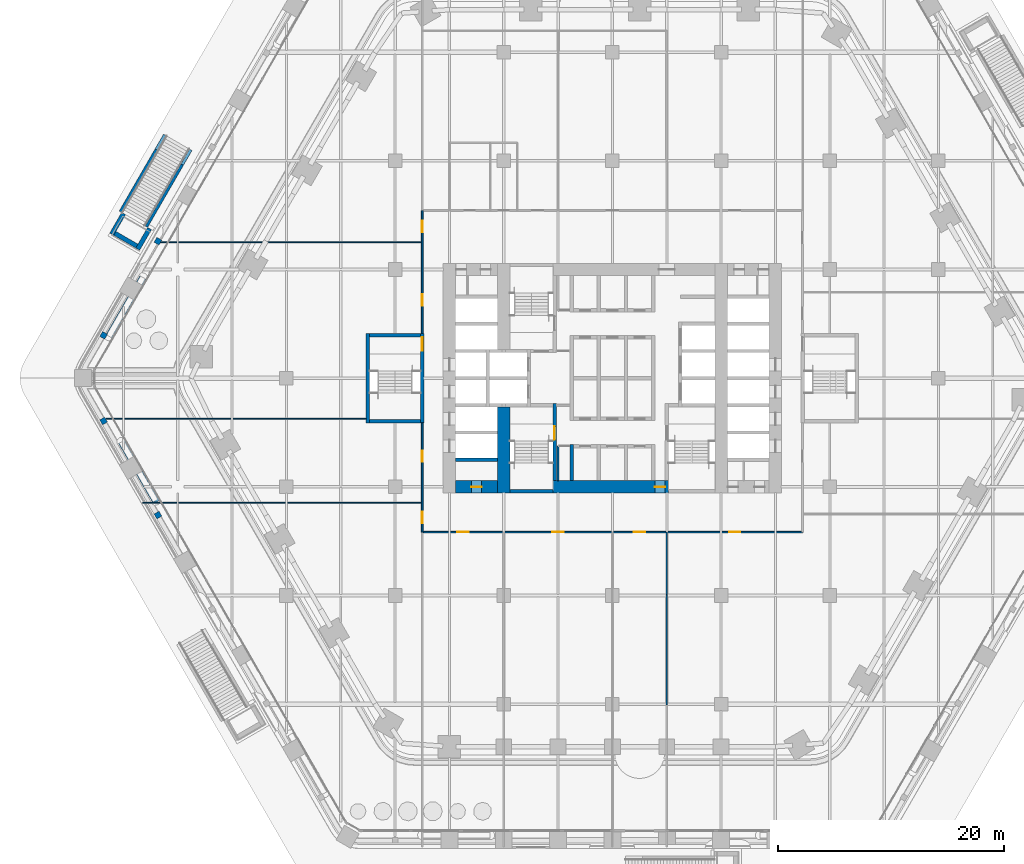
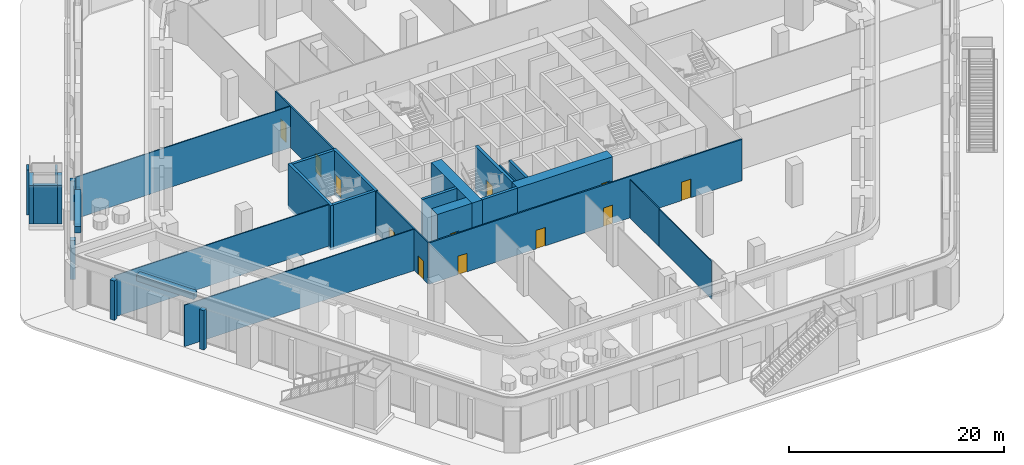
# One storey, part 19 of 34: 31 walls, 12 doors, 12 openings.
"""IFC4 building model written with IfcOpenShell, lengths in metres."""

import ifcopenshell
import ifcopenshell.guid

model = None  # the IFC model being written
_history = None  # IfcOwnerHistory: only IFC2X3 demands one
_inside = {}  # id of a spatial element -> (the spatial element, [elements in it])
_under = {}  # id of a project, library or spatial element -> (it, [spatial elements below it])
_declared = {}  # id of a project -> (the project, [libraries it declares])
_typed = {}  # id of a type object -> (the type object, [elements of that type])
_made_of = {}  # id of a material, layer set ... -> (it, [elements and type objects made of it])


def new_model(schema):
    """Start an empty IFC model of exactly this schema.

    Asked for "IFC4X3", IfcOpenShell would pick the latest addendum, in which some entities
    have other attributes; the version numbers below select the first issue.
    IFC2X3 requires an IfcOwnerHistory on every rooted entity: one is made here for all.
    """
    global model, _history
    if schema == "IFC4X3":
        model = ifcopenshell.file(schema_version=(4, 3, 0, 0))
    else:
        model = ifcopenshell.file(schema=schema)
    _inside.clear()
    _under.clear()
    _declared.clear()
    _typed.clear()
    _made_of.clear()
    _history = None
    if model.schema == "IFC2X3":
        org = make("IfcOrganization", Name="unknown")
        user = make(
            "IfcPersonAndOrganization",
            ThePerson=make("IfcPerson", FamilyName="unknown"),
            TheOrganization=org,
        )
        app = make(
            "IfcApplication",
            ApplicationDeveloper=org,
            Version="unknown",
            ApplicationFullName="unknown",
            ApplicationIdentifier="unknown",
        )
        _history = make(
            "IfcOwnerHistory",
            OwningUser=user,
            OwningApplication=app,
            ChangeAction="ADDED",
            CreationDate=0,
        )
    return model


def make(cls, **values):
    """One entity of the class cls with the attributes given. An attribute that is None is left unset."""
    return model.create_entity(
        cls, **{name: value for name, value in values.items() if value is not None}
    )


def rooted(cls, **values):
    """An entity with a GlobalId (a new one), such as an element, a storey or a relation."""
    return make(cls, GlobalId=ifcopenshell.guid.new(), OwnerHistory=_history, **values)


def si_unit(unit_type, name, prefix=None):
    """IfcSIUnit, for example si_unit("LENGTHUNIT", "METRE", prefix="MILLI")."""
    return make("IfcSIUnit", UnitType=unit_type, Prefix=prefix, Name=name)


def assignment(units):
    """IfcUnitAssignment: the units of a project."""
    return None if units is None else make("IfcUnitAssignment", Units=units)


def point(xyz):
    """IfcCartesianPoint."""
    return None if xyz is None else make("IfcCartesianPoint", Coordinates=xyz)


def direction(xyz):
    """IfcDirection."""
    return None if xyz is None else make("IfcDirection", DirectionRatios=xyz)


def frame(location, z_axis=None, x_axis=None):
    """IfcAxis2Placement3D, a coordinate frame: its origin and axes. An axis left out is left unset."""
    return make(
        "IfcAxis2Placement3D",
        Location=point(location),
        Axis=direction(z_axis),
        RefDirection=direction(x_axis),
    )


def frame_2d(location, x_axis=None):
    """IfcAxis2Placement2D, a coordinate frame in the plane: its origin and x axis."""
    return make(
        "IfcAxis2Placement2D", Location=point(location), RefDirection=direction(x_axis)
    )


def origin():
    """The frame at (0, 0, 0) with its axes left unset."""
    return frame((0.0, 0.0, 0.0))


def place(relative_to, where):
    """IfcLocalPlacement: puts the frame where relative to a parent placement (None: the world)."""
    return make(
        "IfcLocalPlacement", PlacementRelTo=relative_to, RelativePlacement=where
    )


def context(
    kind, dimensions, precision=None, world=None, true_north=None, identifier=None
):
    """IfcGeometricRepresentationContext, for example the 3D "Model" context."""
    return make(
        "IfcGeometricRepresentationContext",
        ContextIdentifier=identifier,
        ContextType=kind,
        CoordinateSpaceDimension=dimensions,
        Precision=precision,
        WorldCoordinateSystem=world,
        TrueNorth=true_north,
    )


def subcontext(parent, identifier, kind, view, scale=None):
    """IfcGeometricRepresentationSubContext, for example "Body" below "Model"."""
    return make(
        "IfcGeometricRepresentationSubContext",
        ContextIdentifier=identifier,
        ContextType=kind,
        ParentContext=parent,
        TargetScale=scale,
        TargetView=view,
    )


def project(units=None, contexts=None):
    """IfcProject with its units and contexts."""
    return rooted(
        "IfcProject",
        Name="project",
        RepresentationContexts=contexts,
        UnitsInContext=assignment(units),
    )


def spatial(cls, under=None, at=None, **own):
    """A site, building, storey or space (cls), placed at a placement, below another one or the project."""
    s = rooted(cls, ObjectPlacement=at, **own)
    if under is not None:
        _under.setdefault(under.id(), (under, []))[1].append(s)
    return s


def polyline(points):
    """IfcPolyline through the points."""
    return make("IfcPolyline", Points=[point(p) for p in points])


def profile(cls, at=None, kind="AREA", **sizes):
    """A parametric profile (cls). Its sizes go by their IFC names, for example OverallWidth=200.0."""
    return make(cls, ProfileType=kind, Position=at, **sizes)


def rectangle(**sizes):
    """IfcRectangleProfileDef."""
    return profile("IfcRectangleProfileDef", **sizes)


def outline(outer, holes=None, kind="AREA"):
    """IfcArbitraryClosedProfileDef: a profile drawn as a closed curve; with holes, ...WithVoids."""
    if holes is None:
        return make("IfcArbitraryClosedProfileDef", ProfileType=kind, OuterCurve=outer)
    return make(
        "IfcArbitraryProfileDefWithVoids",
        ProfileType=kind,
        OuterCurve=outer,
        InnerCurves=holes,
    )


def extrude(swept, where, along, depth):
    """IfcExtrudedAreaSolid: the profile swept, set in the frame where, extruded along a direction by depth."""
    return make(
        "IfcExtrudedAreaSolid",
        SweptArea=swept,
        Position=where,
        ExtrudedDirection=direction(along),
        Depth=depth,
    )


def shape(context_of_items, identifier, shape_type, items):
    """IfcShapeRepresentation: the items that make up one representation, for example the "Body"."""
    return make(
        "IfcShapeRepresentation",
        ContextOfItems=context_of_items,
        RepresentationIdentifier=identifier,
        RepresentationType=shape_type,
        Items=items,
    )


def material(Name=None, Category=None):
    """IfcMaterial."""
    return make("IfcMaterial", Name=Name, Category=Category)


def layer(
    of_material, thickness, ventilated=None, Name=None, Category=None, Priority=None
):
    """IfcMaterialLayer: one layer of a wall or slab, of a material (None: an air gap)."""
    return make(
        "IfcMaterialLayer",
        Material=of_material,
        LayerThickness=thickness,
        IsVentilated=ventilated,
        Name=Name,
        Category=Category,
        Priority=Priority,
    )


def layer_set(layers, Name=None):
    """IfcMaterialLayerSet."""
    return make("IfcMaterialLayerSet", MaterialLayers=layers, LayerSetName=Name)


def made_of(thing, what):
    """Note that an element or type object is made of a material, layer set ...; save() writes the relation."""
    if what is not None:
        _made_of.setdefault(what.id(), (what, []))[1].append(thing)
    return thing


def type_object(cls, material=None, **own):
    """A type object (cls), such as IfcWallType, which elements share."""
    return made_of(rooted(cls, **own), material)


def element(
    cls,
    number,
    at=None,
    inside=None,
    cuts=None,
    type_object=None,
    material=None,
    context=None,
    identifier="Body",
    shape_type=None,
    held_by="IfcProductDefinitionShape",
    body=None,
    shapes=None,
    **own,
):
    """One element of the class cls, such as IfcWall. Its Tag is "e" and its number.

    at: its placement. inside: the storey or other place that contains it. cuts: it is an
    opening in that element (IfcRelVoidsElement). A single representation is given by context,
    identifier, shape_type and body (its items); several are given by shapes. held_by: the class
    of the entity that holds the representations. save() writes the other relations.
    """
    e = rooted(cls, Tag="e%d" % number, ObjectPlacement=at, **own)
    if body is not None:
        shapes = [shape(context, identifier, shape_type, body)]
    if shapes is not None:
        e.Representation = make(held_by, Representations=shapes)
    if inside is not None:
        _inside.setdefault(inside.id(), (inside, []))[1].append(e)
    if cuts is not None:
        rooted(
            "IfcRelVoidsElement", RelatingBuildingElement=cuts, RelatedOpeningElement=e
        )
    if type_object is not None:
        _typed.setdefault(type_object.id(), (type_object, []))[1].append(e)
    return made_of(e, material)


def fill(opening, filler):
    """IfcRelFillsElement: the door or window that sits in an opening."""
    return rooted(
        "IfcRelFillsElement",
        RelatingOpeningElement=opening,
        RelatedBuildingElement=filler,
    )


def aggregate(whole, parts):
    """IfcRelAggregates: a whole, such as a stair, and the parts it consists of."""
    return rooted("IfcRelAggregates", RelatingObject=whole, RelatedObjects=parts)


def save(model, path):
    """Write the relations noted so far, then the file.

    IfcRelAggregates (storeys below a building ...), IfcRelContainedInSpatialStructure (elements
    in a storey), IfcRelDefinesByType, IfcRelAssociatesMaterial and IfcRelDeclares: one each for
    every whole, place, type object, material and project.
    """
    for whole, parts in _under.values():
        aggregate(whole, parts)
    for where, things in _inside.values():
        rooted(
            "IfcRelContainedInSpatialStructure",
            RelatedElements=things,
            RelatingStructure=where,
        )
    for kind, things in _typed.values():
        rooted("IfcRelDefinesByType", RelatedObjects=things, RelatingType=kind)
    for what, things in _made_of.values():
        rooted("IfcRelAssociatesMaterial", RelatedObjects=things, RelatingMaterial=what)
    for by, libraries in _declared.values():
        rooted("IfcRelDeclares", RelatingContext=by, RelatedDefinitions=libraries)
    model.write(path)


model = new_model("IFC4")

# Units and contexts
model_context = context("Model", 3, precision=1e-05, world=origin(), true_north=direction((0.0, 1.0)))
body_context = subcontext(model_context, "Body", "Model", "MODEL_VIEW")
ifc_project = project(units=[si_unit("LENGTHUNIT", "METRE"), si_unit("AREAUNIT", "SQUARE_METRE"), si_unit("VOLUMEUNIT", "CUBIC_METRE"), si_unit("PLANEANGLEUNIT", "RADIAN"), si_unit("MASSUNIT", "GRAM", prefix="KILO")], contexts=[model_context])

# Site, building, storey
site_placement = place(None, origin())
site = spatial("IfcSite", under=ifc_project, at=site_placement, CompositionType="ELEMENT")
building_placement = place(site_placement, origin())
building = spatial("IfcBuilding", under=site, at=building_placement, Name="Kolab Exchange Tower", CompositionType="ELEMENT")
storey_placement = place(building_placement, frame((0.0, 0.0, 12.39990234375)))
storey = spatial("IfcBuildingStorey", under=building, at=storey_placement, Name="L02", CompositionType="ELEMENT", Elevation=12.39990234375)

# Wall, opening, door
ifc_material_1 = material(Name="Concrete C80/95", Category="concrete")
ifc_layer_1 = layer(ifc_material_1, 1.10009765625)
ifc_layer_set_1 = layer_set([ifc_layer_1], Name="Concrete C80/95")
wall_type_1 = type_object("IfcWallType", Name="CORE WALL 1100 C80/95", PredefinedType="SHEAR", material=ifc_layer_set_1)
wall_1_placement = place(storey_placement, frame((-13.85009765625, -9.60009765625, -0.2998046875), z_axis=(0.0, 0.0, 1.0), x_axis=(1.0, 0.0, 0.0)))
wall_1 = element("IfcWall", 1, at=wall_1_placement, inside=storey, type_object=wall_type_1, Name="wall/L02/core/002", PredefinedType="SHEAR", context=body_context, shape_type="SweptSolid", body=[
    extrude(rectangle(XDim=3.7001953125, YDim=1.10009765625, at=frame_2d((1.85009765625, 0.0))), origin(), (0.0, 0.0, 1.0), 5.0498046875),
])
opening_1_placement = place(wall_1_placement, frame((1.39990234375, 0.0, 0.300048828125)))
opening_1 = element("IfcOpeningElement", 2, at=opening_1_placement, cuts=wall_1, Name="Opening D6-061", PredefinedType="OPENING", context=body_context, shape_type="SweptSolid", body=[
    extrude(rectangle(XDim=0.89990234375, YDim=2.10009765625, at=frame_2d((0.449951171875, 1.050048828125))), frame((0.0, 0.56005859375, 0.0), z_axis=(0.0, -1.0, 0.0), x_axis=(1.0, 0.0, 0.0)), (0.0, 0.0, 1.0), 1.1201171875),
])
ifc_material_2 = material(Name="Steel S235", Category="steel")
door_type_1 = type_object("IfcDoorType", Name="CORE DOOR 900 EI 120", OperationType="SINGLE_SWING_LEFT", PredefinedType="DOOR", material=ifc_material_2)
door_1_placement = place(opening_1_placement, origin())
door_1 = element("IfcDoor", 3, at=door_1_placement, inside=storey, type_object=door_type_1, Name="Service room door", OperationType="SINGLE_SWING_LEFT", OverallHeight=2.10009765625, OverallWidth=0.89990234375, PredefinedType="DOOR", context=body_context, shape_type="SweptSolid", body=[
    extrude(rectangle(XDim=0.89990234375, YDim=2.10009765625, at=frame_2d((0.449951171875, 1.050048828125))), frame((0.0, 0.02490234375, 0.0), z_axis=(0.0, -1.0, 0.0), x_axis=(1.0, 0.0, 0.0)), (0.0, 0.0, 1.0), 0.050048828125),
])
fill(opening_1, door_1)

wall_2_placement = place(storey_placement, frame((-5.25, -9.60009765625, -0.2998046875), z_axis=(0.0, 0.0, 1.0), x_axis=(1.0, 0.0, 0.0)))
wall_2 = element("IfcWall", 4, at=wall_2_placement, inside=storey, type_object=wall_type_1, Name="wall/L02/core/003", PredefinedType="SHEAR", context=body_context, shape_type="SweptSolid", body=[
    extrude(rectangle(XDim=10.199951171875, YDim=1.10009765625, at=frame_2d((5.10009765625, 0.0))), origin(), (0.0, 0.0, 1.0), 5.0498046875),
])
opening_2_placement = place(wall_2_placement, frame((9.0, 0.0, 0.300048828125)))
opening_2 = element("IfcOpeningElement", 5, at=opening_2_placement, cuts=wall_2, Name="Opening D6-055", PredefinedType="OPENING", context=body_context, shape_type="SweptSolid", body=[
    extrude(rectangle(XDim=0.89990234375, YDim=2.10009765625, at=frame_2d((0.449951171875, 1.050048828125))), frame((0.0, 0.56005859375, 0.0), z_axis=(0.0, -1.0, 0.0), x_axis=(1.0, 0.0, 0.0)), (0.0, 0.0, 1.0), 1.1201171875),
])
door_2_placement = place(opening_2_placement, origin())
door_2 = element("IfcDoor", 6, at=door_2_placement, inside=storey, type_object=door_type_1, Name="Core lobby door", OperationType="SINGLE_SWING_LEFT", OverallHeight=2.10009765625, OverallWidth=0.89990234375, PredefinedType="DOOR", context=body_context, shape_type="SweptSolid", body=[
    extrude(rectangle(XDim=0.89990234375, YDim=2.10009765625, at=frame_2d((0.449951171875, 1.050048828125))), frame((0.0, 0.02490234375, 0.0), z_axis=(0.0, -1.0, 0.0), x_axis=(1.0, 0.0, 0.0)), (0.0, 0.0, 1.0), 0.050048828125),
])
fill(opening_2, door_2)

# Walls
wall_3_placement = place(storey_placement, frame((-9.60009765625, -10.14990234375, -0.2998046875), z_axis=(0.0, 0.0, 1.0), x_axis=(0.0, 1.0, 0.0)))
element("IfcWall", 7, at=wall_3_placement, inside=storey, type_object=wall_type_1, Name="wall/L02/core/059", PredefinedType="SHEAR", context=body_context, shape_type="SweptSolid", body=[
    extrude(rectangle(XDim=7.599853515625, YDim=1.10009765625, at=frame_2d((3.7998046875, 0.0))), origin(), (0.0, 0.0, 1.0), 5.0498046875),
])
ifc_material_3 = material(Name="Concrete C50/60", Category="concrete")
ifc_layer_2 = layer(ifc_material_3, 0.300048828125)
ifc_layer_set_2 = layer_set([ifc_layer_2], Name="Concrete C50/60")
wall_type_2 = type_object("IfcWallType", Name="LIFT SHAFT WALL 300 C50/60", PredefinedType="STANDARD", material=ifc_layer_set_2)
wall_4_placement = place(storey_placement, frame((-13.85009765625, -7.199951171875, -0.2998046875), z_axis=(0.0, 0.0, 1.0), x_axis=(1.0, 0.0, 0.0)))
element("IfcWall", 8, at=wall_4_placement, inside=storey, type_object=wall_type_2, Name="wall/L02/core/005", PredefinedType="STANDARD", context=body_context, shape_type="SweptSolid", body=[
    extrude(rectangle(XDim=3.7001953125, YDim=0.300048828125, at=frame_2d((1.85009765625, 0.0))), origin(), (0.0, 0.0, 1.0), 5.0498046875),
])
wall_5_placement = place(storey_placement, frame((-3.60009765625, -9.050048828125, -0.2998046875), z_axis=(0.0, 0.0, 1.0), x_axis=(0.0, 1.0, 0.0)))
element("IfcWall", 9, at=wall_5_placement, inside=storey, type_object=wall_type_2, Name="wall/L02/core/066", PredefinedType="STANDARD", context=body_context, shape_type="SweptSolid", body=[
    extrude(rectangle(XDim=3.199951171875, YDim=0.300048828125, at=frame_2d((1.60009765625, 0.0))), origin(), (0.0, 0.0, 1.0), 5.0498046875),
])
ifc_material_4 = material(Name="Gypsum board", Category="gypsum")
ifc_layer_3 = layer(ifc_material_4, 0.10009765625)
ifc_layer_set_3 = layer_set([ifc_layer_3], Name="Gypsum board")
wall_type_3 = type_object("IfcWallType", Name="PARTITION 100", PredefinedType="PARTITIONING", material=ifc_layer_set_3)
wall_6_placement = place(storey_placement, frame((4.800048828125, -28.8740234375, 0.0), z_axis=(0.0, 0.0, 1.0), x_axis=(0.0, 1.0, 0.0)))
element("IfcWall", 10, at=wall_6_placement, inside=storey, type_object=wall_type_3, Name="Partition 005", PredefinedType="PARTITIONING", context=body_context, shape_type="SweptSolid", body=[
    extrude(rectangle(XDim=9.748046875, YDim=0.10009765625, at=frame_2d((4.8740234375, 0.0))), origin(), (0.0, 0.0, 1.0), 4.293212890625),
])
wall_7_placement = place(storey_placement, frame((4.800048828125, -19.1259765625, 0.0), z_axis=(0.0, 0.0, 1.0), x_axis=(0.0, 1.0, 0.0)))
element("IfcWall", 11, at=wall_7_placement, inside=storey, type_object=wall_type_3, Name="Partition 005", PredefinedType="PARTITIONING", context=body_context, shape_type="SweptSolid", body=[
    extrude(rectangle(XDim=5.52587890625, YDim=0.10009765625, at=frame_2d((2.762939453125, 0.0))), origin(), (0.0, 0.0, 1.0), 4.343017578125),
])
wall_8_placement = place(storey_placement, frame((-41.510498046875, -11.0, 0.0), z_axis=(0.0, 0.0, 1.0), x_axis=(1.0, 0.0, 0.0)))
element("IfcWall", 12, at=wall_8_placement, inside=storey, type_object=wall_type_3, Name="Partition 022", PredefinedType="PARTITIONING", context=body_context, shape_type="SweptSolid", body=[
    extrude(rectangle(XDim=24.71044921875, YDim=0.10009765625, at=frame_2d((12.355224609375, 0.0))), origin(), (0.0, 0.0, 1.0), 4.7001953125),
])
wall_9_placement = place(storey_placement, frame((-44.738037109375, -3.60009765625, 0.0), z_axis=(0.0, 0.0, 1.0), x_axis=(1.0, 0.0, 0.0)))
element("IfcWall", 13, at=wall_9_placement, inside=storey, type_object=wall_type_3, Name="Partition 024", PredefinedType="PARTITIONING", context=body_context, shape_type="SweptSolid", body=[
    extrude(rectangle(XDim=22.988037109375, YDim=0.10009765625, at=frame_2d((11.494140625, 0.0))), origin(), (0.0, 0.0, 1.0), 4.7001953125),
])
wall_10_placement = place(storey_placement, frame((-39.88818359375, 12.0, 0.0), z_axis=(0.0, 0.0, 1.0), x_axis=(1.0, 0.0, 0.0)))
element("IfcWall", 14, at=wall_10_placement, inside=storey, type_object=wall_type_3, Name="Partition 028", PredefinedType="PARTITIONING", context=body_context, shape_type="SweptSolid", body=[
    extrude(rectangle(XDim=23.088134765625, YDim=0.10009765625, at=frame_2d((11.5439453125, 0.0))), origin(), (0.0, 0.0, 1.0), 4.7001953125),
])
ifc_layer_4 = layer(ifc_material_4, 0.14990234375)
ifc_layer_set_4 = layer_set([ifc_layer_4], Name="Gypsum board")
wall_type_4 = type_object("IfcWallType", Name="PARTITION 150 FIRE-RATED", PredefinedType="PARTITIONING", material=ifc_layer_set_4)
wall_11_placement = place(storey_placement, frame((-4.800048828125, -9.050048828125, 0.0), z_axis=(0.0, 0.0, 1.0), x_axis=(0.0, 1.0, 0.0)))
element("IfcWall", 15, at=wall_11_placement, inside=storey, type_object=wall_type_4, Name="Partition 009", PredefinedType="PARTITIONING", context=body_context, shape_type="SweptSolid", body=[
    extrude(rectangle(XDim=3.050048828125, YDim=0.14990234375, at=frame_2d((1.52490234375, 0.0))), origin(), (0.0, 0.0, 1.0), 4.7001953125),
])

# Wall, openings, doors
wall_12_placement = place(storey_placement, frame((-16.800048828125, -13.60009765625, 0.0), z_axis=(0.0, 0.0, 1.0), x_axis=(0.0, 1.0, 0.0)))
wall_12 = element("IfcWall", 16, at=wall_12_placement, inside=storey, type_object=wall_type_4, Name="Partition 018", PredefinedType="PARTITIONING", context=body_context, shape_type="SweptSolid", body=[
    extrude(rectangle(XDim=9.650146484375, YDim=0.14990234375, at=frame_2d((4.8251953125, 0.0))), origin(), (0.0, 0.0, 1.0), 4.7001953125),
])
opening_3_placement = place(wall_12_placement, frame((0.800048828125, 0.0, 0.0)))
opening_3 = element("IfcOpeningElement", 17, at=opening_3_placement, cuts=wall_12, Name="Opening D1-038", PredefinedType="OPENING", context=body_context, shape_type="SweptSolid", body=[
    extrude(rectangle(XDim=1.0, YDim=2.10009765625, at=frame_2d((0.5, 1.050048828125))), frame((0.0, 0.0849609375, 0.0), z_axis=(0.0, -1.0, 0.0), x_axis=(1.0, 0.0, 0.0)), (0.0, 0.0, 1.0), 0.169921875),
])
opening_4_placement = place(wall_12_placement, frame((6.199951171875, 0.0, 0.0)))
opening_4 = element("IfcOpeningElement", 18, at=opening_4_placement, cuts=wall_12, Name="Opening D1-039", PredefinedType="OPENING", context=body_context, shape_type="SweptSolid", body=[
    extrude(rectangle(XDim=1.0, YDim=2.10009765625, at=frame_2d((0.5, 1.050048828125))), frame((0.0, 0.0849609375, 0.0), z_axis=(0.0, -1.0, 0.0), x_axis=(1.0, 0.0, 0.0)), (0.0, 0.0, 1.0), 0.169921875),
])
door_type_2 = type_object("IfcDoorType", Name="FLUSH DOOR 1000 FD60", OperationType="SINGLE_SWING_LEFT", PredefinedType="DOOR", material=ifc_material_2)
door_3_placement = place(opening_3_placement, origin())
door_3 = element("IfcDoor", 19, at=door_3_placement, inside=storey, type_object=door_type_2, Name="Door L02-059", OperationType="SINGLE_SWING_RIGHT", OverallHeight=2.10009765625, OverallWidth=1.0, PredefinedType="DOOR", context=body_context, shape_type="SweptSolid", body=[
    extrude(rectangle(XDim=1.0, YDim=2.10009765625, at=frame_2d((0.5, 1.050048828125))), frame((0.0, 0.02490234375, 0.0), z_axis=(0.0, -1.0, 0.0), x_axis=(1.0, 0.0, 0.0)), (0.0, 0.0, 1.0), 0.050048828125),
])
fill(opening_3, door_3)
door_4_placement = place(opening_4_placement, origin())
door_4 = element("IfcDoor", 20, at=door_4_placement, inside=storey, type_object=door_type_2, Name="Door L02-060", OperationType="SINGLE_SWING_RIGHT", OverallHeight=2.10009765625, OverallWidth=1.0, PredefinedType="DOOR", context=body_context, shape_type="SweptSolid", body=[
    extrude(rectangle(XDim=1.0, YDim=2.10009765625, at=frame_2d((0.5, 1.050048828125))), frame((0.0, 0.02490234375, 0.0), z_axis=(0.0, -1.0, 0.0), x_axis=(1.0, 0.0, 0.0)), (0.0, 0.0, 1.0), 0.050048828125),
])
fill(opening_4, door_4)

wall_13_placement = place(storey_placement, frame((-16.800048828125, 3.949951171875, 0.0), z_axis=(0.0, 0.0, 1.0), x_axis=(0.0, 1.0, 0.0)))
wall_13 = element("IfcWall", 21, at=wall_13_placement, inside=storey, type_object=wall_type_4, Name="Partition 019", PredefinedType="PARTITIONING", context=body_context, shape_type="SweptSolid", body=[
    extrude(rectangle(XDim=10.85009765625, YDim=0.14990234375, at=frame_2d((5.425048828125, 0.0))), origin(), (0.0, 0.0, 1.0), 4.7001953125),
])
opening_5_placement = place(wall_13_placement, frame((2.449951171875, 0.0, 0.0)))
opening_5 = element("IfcOpeningElement", 22, at=opening_5_placement, cuts=wall_13, Name="Opening D1-040", PredefinedType="OPENING", context=body_context, shape_type="SweptSolid", body=[
    extrude(rectangle(XDim=1.0, YDim=2.10009765625, at=frame_2d((0.5, 1.050048828125))), frame((0.0, 0.0849609375, 0.0), z_axis=(0.0, -1.0, 0.0), x_axis=(1.0, 0.0, 0.0)), (0.0, 0.0, 1.0), 0.169921875),
])
opening_6_placement = place(wall_13_placement, frame((8.949951171875, 0.0, 0.0)))
opening_6 = element("IfcOpeningElement", 23, at=opening_6_placement, cuts=wall_13, Name="Opening D1-041", PredefinedType="OPENING", context=body_context, shape_type="SweptSolid", body=[
    extrude(rectangle(XDim=1.0, YDim=2.10009765625, at=frame_2d((0.5, 1.050048828125))), frame((0.0, 0.0849609375, 0.0), z_axis=(0.0, -1.0, 0.0), x_axis=(1.0, 0.0, 0.0)), (0.0, 0.0, 1.0), 0.169921875),
])
door_5_placement = place(opening_5_placement, origin())
door_5 = element("IfcDoor", 24, at=door_5_placement, inside=storey, type_object=door_type_2, Name="Door L02-061", OperationType="SINGLE_SWING_LEFT", OverallHeight=2.10009765625, OverallWidth=1.0, PredefinedType="DOOR", context=body_context, shape_type="SweptSolid", body=[
    extrude(rectangle(XDim=1.0, YDim=2.10009765625, at=frame_2d((0.5, 1.050048828125))), frame((0.0, 0.02490234375, 0.0), z_axis=(0.0, -1.0, 0.0), x_axis=(1.0, 0.0, 0.0)), (0.0, 0.0, 1.0), 0.050048828125),
])
fill(opening_5, door_5)
door_6_placement = place(opening_6_placement, origin())
door_6 = element("IfcDoor", 25, at=door_6_placement, inside=storey, type_object=door_type_2, Name="Door L02-062", OperationType="SINGLE_SWING_LEFT", OverallHeight=2.10009765625, OverallWidth=1.0, PredefinedType="DOOR", context=body_context, shape_type="SweptSolid", body=[
    extrude(rectangle(XDim=1.0, YDim=2.10009765625, at=frame_2d((0.5, 1.050048828125))), frame((0.0, 0.02490234375, 0.0), z_axis=(0.0, -1.0, 0.0), x_axis=(1.0, 0.0, 0.0)), (0.0, 0.0, 1.0), 0.050048828125),
])
fill(opening_6, door_6)

wall_14_placement = place(storey_placement, frame((-16.800048828125, -13.60009765625, 0.0), z_axis=(0.0, 0.0, 1.0), x_axis=(1.0, 0.0, 0.0)))
wall_14 = element("IfcWall", 26, at=wall_14_placement, inside=storey, type_object=wall_type_4, Name="Partition 020", PredefinedType="PARTITIONING", context=body_context, shape_type="SweptSolid", body=[
    extrude(rectangle(XDim=33.60009765625, YDim=0.14990234375, at=frame_2d((16.800048828125, 0.0))), origin(), (0.0, 0.0, 1.0), 4.7001953125),
])
opening_7_placement = place(wall_14_placement, frame((3.10009765625, 0.0, 0.0)))
opening_7 = element("IfcOpeningElement", 27, at=opening_7_placement, cuts=wall_14, Name="Opening D1-032", PredefinedType="OPENING", context=body_context, shape_type="SweptSolid", body=[
    extrude(rectangle(XDim=1.0, YDim=2.10009765625, at=frame_2d((0.5, 1.050048828125))), frame((0.0, 0.0849609375, 0.0), z_axis=(0.0, -1.0, 0.0), x_axis=(1.0, 0.0, 0.0)), (0.0, 0.0, 1.0), 0.169921875),
])
opening_8_placement = place(wall_14_placement, frame((11.5, 0.0, 0.0)))
opening_8 = element("IfcOpeningElement", 28, at=opening_8_placement, cuts=wall_14, Name="Opening D1-033", PredefinedType="OPENING", context=body_context, shape_type="SweptSolid", body=[
    extrude(rectangle(XDim=1.0, YDim=2.10009765625, at=frame_2d((0.5, 1.050048828125))), frame((0.0, 0.0849609375, 0.0), z_axis=(0.0, -1.0, 0.0), x_axis=(1.0, 0.0, 0.0)), (0.0, 0.0, 1.0), 0.169921875),
])
opening_9_placement = place(wall_14_placement, frame((27.10009765625, 0.0, 0.0)))
opening_9 = element("IfcOpeningElement", 29, at=opening_9_placement, cuts=wall_14, Name="Opening D1-034", PredefinedType="OPENING", context=body_context, shape_type="SweptSolid", body=[
    extrude(rectangle(XDim=1.0, YDim=2.10009765625, at=frame_2d((0.5, 1.050048828125))), frame((0.0, 0.0849609375, 0.0), z_axis=(0.0, -1.0, 0.0), x_axis=(1.0, 0.0, 0.0)), (0.0, 0.0, 1.0), 0.169921875),
])
opening_10_placement = place(wall_14_placement, frame((18.699951171875, 0.0, 0.0)))
opening_10 = element("IfcOpeningElement", 30, at=opening_10_placement, cuts=wall_14, Name="Opening D1-042", PredefinedType="OPENING", context=body_context, shape_type="SweptSolid", body=[
    extrude(rectangle(XDim=1.0, YDim=2.10009765625, at=frame_2d((0.5, 1.050048828125))), frame((0.0, 0.0849609375, 0.0), z_axis=(0.0, -1.0, 0.0), x_axis=(1.0, 0.0, 0.0)), (0.0, 0.0, 1.0), 0.169921875),
])
door_7_placement = place(opening_7_placement, frame((1.0, 0.0, 0.0), z_axis=(0.0, 0.0, 1.0), x_axis=(-1.0, 0.0, 0.0)))
door_7 = element("IfcDoor", 31, at=door_7_placement, inside=storey, type_object=door_type_2, Name="Door L02-053", OperationType="SINGLE_SWING_LEFT", OverallHeight=2.10009765625, OverallWidth=1.0, PredefinedType="DOOR", context=body_context, shape_type="SweptSolid", body=[
    extrude(rectangle(XDim=1.0, YDim=2.10009765625, at=frame_2d((0.5, 1.050048828125))), frame((0.0, 0.02490234375, 0.0), z_axis=(0.0, -1.0, 0.0), x_axis=(1.0, 0.0, 0.0)), (0.0, 0.0, 1.0), 0.050048828125),
])
fill(opening_7, door_7)
door_8_placement = place(opening_8_placement, frame((1.0, 0.0, 0.0), z_axis=(0.0, 0.0, 1.0), x_axis=(-1.0, 0.0, 0.0)))
door_8 = element("IfcDoor", 32, at=door_8_placement, inside=storey, type_object=door_type_2, Name="Door L02-054", OperationType="SINGLE_SWING_LEFT", OverallHeight=2.10009765625, OverallWidth=1.0, PredefinedType="DOOR", context=body_context, shape_type="SweptSolid", body=[
    extrude(rectangle(XDim=1.0, YDim=2.10009765625, at=frame_2d((0.5, 1.050048828125))), frame((0.0, 0.02490234375, 0.0), z_axis=(0.0, -1.0, 0.0), x_axis=(1.0, 0.0, 0.0)), (0.0, 0.0, 1.0), 0.050048828125),
])
fill(opening_8, door_8)
door_9_placement = place(opening_9_placement, frame((1.0, 0.0, 0.0), z_axis=(0.0, 0.0, 1.0), x_axis=(-1.0, 0.0, 0.0)))
door_9 = element("IfcDoor", 33, at=door_9_placement, inside=storey, type_object=door_type_2, Name="Door L02-055", OperationType="SINGLE_SWING_LEFT", OverallHeight=2.10009765625, OverallWidth=1.0, PredefinedType="DOOR", context=body_context, shape_type="SweptSolid", body=[
    extrude(rectangle(XDim=1.0, YDim=2.10009765625, at=frame_2d((0.5, 1.050048828125))), frame((0.0, 0.02490234375, 0.0), z_axis=(0.0, -1.0, 0.0), x_axis=(1.0, 0.0, 0.0)), (0.0, 0.0, 1.0), 0.050048828125),
])
fill(opening_9, door_9)
door_10_placement = place(opening_10_placement, frame((1.0, 0.0, 0.0), z_axis=(0.0, 0.0, 1.0), x_axis=(-1.0, 0.0, 0.0)))
door_10 = element("IfcDoor", 34, at=door_10_placement, inside=storey, type_object=door_type_2, Name="Door L02-063", OperationType="SINGLE_SWING_LEFT", OverallHeight=2.10009765625, OverallWidth=1.0, PredefinedType="DOOR", context=body_context, shape_type="SweptSolid", body=[
    extrude(rectangle(XDim=1.0, YDim=2.10009765625, at=frame_2d((0.5, 1.050048828125))), frame((0.0, 0.02490234375, 0.0), z_axis=(0.0, -1.0, 0.0), x_axis=(1.0, 0.0, 0.0)), (0.0, 0.0, 1.0), 0.050048828125),
])
fill(opening_10, door_10)

# Walls
ifc_material_5 = material(Name="Granite facing", Category="masonry")
ifc_layer_5 = layer(ifc_material_5, 0.0400390625)
ifc_material_6 = material(Name="Concrete C40/50 precast", Category="concrete")
ifc_layer_6 = layer(ifc_material_6, 0.56005859375)
ifc_layer_set_5 = layer_set([ifc_layer_5, ifc_layer_6], Name="Concrete C40/50 precast")
wall_type_5 = type_object("IfcWallType", Name="PLANTER BOX 600 X 700 SOIL DEPTH 550", PredefinedType="USERDEFINED", material=ifc_layer_set_5)
wall_15_placement = place(storey_placement, frame((-40.2919921875, -10.950927734375, 5.0), z_axis=(0.0, 0.0, 1.0), x_axis=(-0.499976998774, 0.866038683141, 0.0)))
element("IfcWall", 35, at=wall_15_placement, inside=storey, type_object=wall_type_5, Name="Planter", ObjectType="PLANTER", PredefinedType="USERDEFINED", context=body_context, shape_type="SweptSolid", body=[
    extrude(rectangle(XDim=6.143798828125, YDim=0.60009765625, at=frame_2d((3.07177734375, 0.0))), origin(), (0.0, 0.0, 1.0), 0.7001953125),
])
wall_16_placement = place(storey_placement, frame((-44.477294921875, 3.70166015625, 5.0), z_axis=(0.0, 0.0, 1.0), x_axis=(0.500007758305, 0.866020924479, 0.0)))
element("IfcWall", 36, at=wall_16_placement, inside=storey, type_object=wall_type_5, Name="Planter", ObjectType="PLANTER", PredefinedType="USERDEFINED", context=body_context, shape_type="SweptSolid", body=[
    extrude(rectangle(XDim=6.0, YDim=0.60009765625, at=frame_2d((3.0, 0.0))), origin(), (0.0, 0.0, 1.0), 0.7001953125),
])
ifc_layer_7 = layer(ifc_material_5, 0.0400390625)
ifc_material_7 = material(Name="Concrete C40/50", Category="concrete")
ifc_layer_8 = layer(ifc_material_7, 0.2099609375)
ifc_layer_set_6 = layer_set([ifc_layer_7, ifc_layer_8], Name="Concrete C40/50")
wall_type_6 = type_object("IfcWallType", Name="STAIR CHEEK WALL 250", PredefinedType="SOLIDWALL", material=ifc_layer_set_6)
for number, where, z_axis, x_axis, name in (
    (37, (-37.251220703125, 20.16748046875, 0.0), (0.0, 0.0, 1.0), (-0.499997407846, -0.86602690036, 0.0), "Stair cheek wall"),
    (38, (-39.546142578125, 21.492431640625, 0.0), (0.0, 0.0, 1.0), (-0.499997407846, -0.86602690036, 0.0), "Stair cheek wall"),
):
    element("IfcWall", number, at=place(storey_placement, frame(where, z_axis=z_axis, x_axis=x_axis)), inside=storey, type_object=wall_type_6, Name=name, PredefinedType="SOLIDWALL", context=body_context, shape_type="SweptSolid", body=[
        extrude(outline(polyline([(0.0, 0.0), (7.83984375, 0.0), (7.840087890625, 5.10009765625), (0.0, 0.2724609375), (0.0, 0.0)])), frame((0.0, 0.125, 0.0), z_axis=(0.0, -1.0, 0.0), x_axis=(1.0, 0.0, 0.0)), (0.0, 0.0, 1.0), 0.25),
    ])
ifc_layer_9 = layer(ifc_material_3, 0.300048828125)
ifc_layer_set_7 = layer_set([ifc_layer_9], Name="Concrete C50/60")
wall_type_7 = type_object("IfcWallType", Name="STAIR ENCLOSURE WALL 300 C50/60", PredefinedType="STANDARD", material=ifc_layer_set_7)
wall_17_placement = place(storey_placement, frame((-9.050048828125, -10.0, -0.2998046875), z_axis=(0.0, 0.0, 1.0), x_axis=(1.0, 0.0, 0.0)))
element("IfcWall", 39, at=wall_17_placement, inside=storey, type_object=wall_type_7, Name="wall/L02/core/000", PredefinedType="STANDARD", context=body_context, shape_type="SweptSolid", body=[
    extrude(rectangle(XDim=3.800048828125, YDim=0.300048828125, at=frame_2d((1.89990234375, 0.0))), origin(), (0.0, 0.0, 1.0), 5.0498046875),
])
for number, where, z_axis, x_axis, name in (
    (40, (-21.449951171875, -3.800048828125, -0.2998046875), (0.0, 0.0, 1.0), (1.0, 0.0, 0.0), "wall/L02/core/012"),
    (41, (-21.449951171875, 3.800048828125, -0.2998046875), (0.0, 0.0, 1.0), (1.0, 0.0, 0.0), "wall/L02/core/040"),
):
    element("IfcWall", number, at=place(storey_placement, frame(where, z_axis=z_axis, x_axis=x_axis)), inside=storey, type_object=wall_type_7, Name=name, PredefinedType="STANDARD", context=body_context, shape_type="SweptSolid", body=[
        extrude(rectangle(XDim=4.5, YDim=0.300048828125, at=frame_2d((2.25, 0.0))), origin(), (0.0, 0.0, 1.0), 5.0498046875),
    ])
wall_18_placement = place(storey_placement, frame((-21.60009765625, -3.949951171875, -0.2998046875), z_axis=(0.0, 0.0, 1.0), x_axis=(0.0, 1.0, 0.0)))
element("IfcWall", 42, at=wall_18_placement, inside=storey, type_object=wall_type_7, Name="wall/L02/core/055", PredefinedType="STANDARD", context=body_context, shape_type="SweptSolid", body=[
    extrude(rectangle(XDim=7.89990234375, YDim=0.300048828125, at=frame_2d((3.949951171875, 0.0))), origin(), (0.0, 0.0, 1.0), 5.0498046875),
])

# Wall, opening, door
wall_19_placement = place(storey_placement, frame((-16.800048828125, -3.949951171875, -0.2998046875), z_axis=(0.0, 0.0, 1.0), x_axis=(0.0, 1.0, 0.0)))
wall_19 = element("IfcWall", 43, at=wall_19_placement, inside=storey, type_object=wall_type_7, Name="wall/L02/core/056", PredefinedType="STANDARD", context=body_context, shape_type="SweptSolid", body=[
    extrude(rectangle(XDim=7.89990234375, YDim=0.300048828125, at=frame_2d((3.949951171875, 0.0))), origin(), (0.0, 0.0, 1.0), 5.0498046875),
])
opening_11_placement = place(wall_19_placement, frame((6.35009765625, 0.0, 0.300048828125)))
opening_11 = element("IfcOpeningElement", 44, at=opening_11_placement, cuts=wall_19, Name="Opening D4-018", PredefinedType="OPENING", context=body_context, shape_type="SweptSolid", body=[
    extrude(rectangle(XDim=1.199951171875, YDim=2.10009765625, at=frame_2d((0.60009765625, 1.050048828125))), frame((0.0, 0.16015625, 0.0), z_axis=(0.0, -1.0, 0.0), x_axis=(1.0, 0.0, 0.0)), (0.0, 0.0, 1.0), 0.320068359375),
])
door_type_3 = type_object("IfcDoorType", Name="STAIR DOOR 1200 EI 120", OperationType="SINGLE_SWING_LEFT", PredefinedType="DOOR", material=ifc_material_2)
door_11_placement = place(opening_11_placement, origin())
door_11 = element("IfcDoor", 45, at=door_11_placement, inside=storey, type_object=door_type_3, Name="Stair 5 door", OperationType="SINGLE_SWING_RIGHT", OverallHeight=2.10009765625, OverallWidth=1.199951171875, PredefinedType="DOOR", context=body_context, shape_type="SweptSolid", body=[
    extrude(rectangle(XDim=1.199951171875, YDim=2.10009765625, at=frame_2d((0.60009765625, 1.050048828125))), frame((0.0, 0.02490234375, 0.0), z_axis=(0.0, -1.0, 0.0), x_axis=(1.0, 0.0, 0.0)), (0.0, 0.0, 1.0), 0.050048828125),
])
fill(opening_11, door_11)

wall_20_placement = place(storey_placement, frame((-5.10009765625, -9.050048828125, -0.2998046875), z_axis=(0.0, 0.0, 1.0), x_axis=(0.0, 1.0, 0.0)))
wall_20 = element("IfcWall", 46, at=wall_20_placement, inside=storey, type_object=wall_type_7, Name="wall/L02/core/064", PredefinedType="STANDARD", context=body_context, shape_type="SweptSolid", body=[
    extrude(rectangle(XDim=6.800048828125, YDim=0.300048828125, at=frame_2d((3.39990234375, 0.0))), origin(), (0.0, 0.0, 1.0), 5.0498046875),
])
opening_12_placement = place(wall_20_placement, frame((3.60009765625, 0.0, 0.300048828125)))
opening_12 = element("IfcOpeningElement", 47, at=opening_12_placement, cuts=wall_20, Name="Opening D4-016", PredefinedType="OPENING", context=body_context, shape_type="SweptSolid", body=[
    extrude(rectangle(XDim=1.199951171875, YDim=2.10009765625, at=frame_2d((0.60009765625, 1.050048828125))), frame((0.0, 0.16015625, 0.0), z_axis=(0.0, -1.0, 0.0), x_axis=(1.0, 0.0, 0.0)), (0.0, 0.0, 1.0), 0.320068359375),
])
door_12_placement = place(opening_12_placement, origin())
door_12 = element("IfcDoor", 48, at=door_12_placement, inside=storey, type_object=door_type_3, Name="Stair 3 door", OperationType="SINGLE_SWING_RIGHT", OverallHeight=2.10009765625, OverallWidth=1.199951171875, PredefinedType="DOOR", context=body_context, shape_type="SweptSolid", body=[
    extrude(rectangle(XDim=1.199951171875, YDim=2.10009765625, at=frame_2d((0.60009765625, 1.050048828125))), frame((0.0, 0.02490234375, 0.0), z_axis=(0.0, -1.0, 0.0), x_axis=(1.0, 0.0, 0.0)), (0.0, 0.0, 1.0), 0.050048828125),
])
fill(opening_12, door_12)

# Walls
ifc_layer_10 = layer(ifc_material_7, 0.39990234375)
ifc_layer_set_8 = layer_set([ifc_layer_10], Name="Concrete C40/50")
wall_type_8 = type_object("IfcWallType", Name="STAIR LANDING SUPPORT PIER 2100 X 400", PredefinedType="SOLIDWALL", material=ifc_layer_set_8)
for number, where, z_axis, x_axis, name in (
    (49, (-44.234619140625, 12.7216796875, 0.4501953125), (0.0, 0.0, 1.0), (0.500027713859, 0.866009402589, 0.0), "Stair landing support pier"),
    (50, (-41.939697265625, 11.396728515625, 0.4501953125), (0.0, 0.0, 1.0), (0.500027713859, 0.866009402589, 0.0), "Stair landing support pier"),
):
    element("IfcWall", number, at=place(storey_placement, frame(where, z_axis=z_axis, x_axis=x_axis)), inside=storey, type_object=wall_type_8, Name=name, PredefinedType="SOLIDWALL", context=body_context, shape_type="SweptSolid", body=[
        extrude(rectangle(XDim=2.10009765625, YDim=0.39990234375, at=frame_2d((1.050048828125, 0.0))), origin(), (0.0, 0.0, 1.0), 4.349853515625),
    ])
wall_21_placement = place(storey_placement, frame((-42.012939453125, 11.669921875, 0.4501953125), z_axis=(0.0, 0.0, 1.0), x_axis=(-0.866017533419, 0.500013631625, 0.0)))
element("IfcWall", 51, at=wall_21_placement, inside=storey, type_object=wall_type_8, Name="Stair landing support pier", PredefinedType="SOLIDWALL", context=body_context, shape_type="SweptSolid", body=[
    extrude(rectangle(XDim=2.25, YDim=0.39990234375, at=frame_2d((1.125, 0.0))), origin(), (0.0, 0.0, 1.0), 4.349853515625),
])
ifc_layer_11 = layer(ifc_material_5, 0.5)
ifc_layer_set_9 = layer_set([ifc_layer_11], Name="Granite facing")
wall_type_9 = type_object("IfcWallType", Name="STONE FACADE FIN 500 X 500", PredefinedType="SOLIDWALL", material=ifc_layer_set_9)
for number, where, z_axis, x_axis, name in (
    (52, (-40.02490234375, -12.3125, 0.0), (0.0, 0.0, 1.0), (-0.499919672301, 0.866071776036, 0.0), "Stone facade fin"),
    (53, (-44.824951171875, -3.99853515625, 0.0), (0.0, 0.0, 1.0), (-0.499919672301, 0.866071776036, 0.0), "Stone facade fin"),
    (54, (-45.074951171875, 3.5654296875, 0.0), (0.0, 0.0, 1.0), (0.499919672301, 0.866071776036, 0.0), "Stone facade fin"),
    (55, (-40.27490234375, 11.87939453125, 0.0), (0.0, 0.0, 1.0), (0.499919672301, 0.866071776036, 0.0), "Stone facade fin"),
):
    element("IfcWall", number, at=place(storey_placement, frame(where, z_axis=z_axis, x_axis=x_axis)), inside=storey, type_object=wall_type_9, Name=name, PredefinedType="SOLIDWALL", context=body_context, shape_type="SweptSolid", body=[
        extrude(rectangle(XDim=0.5, YDim=0.5, at=frame_2d((0.25, 0.0))), origin(), (0.0, 0.0, 1.0), 4.4501953125),
    ])

save(model, "model.ifc")
